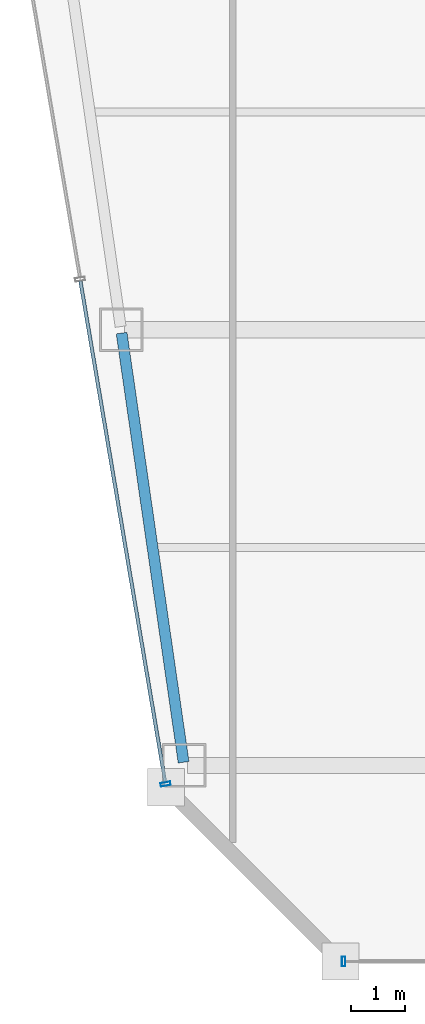
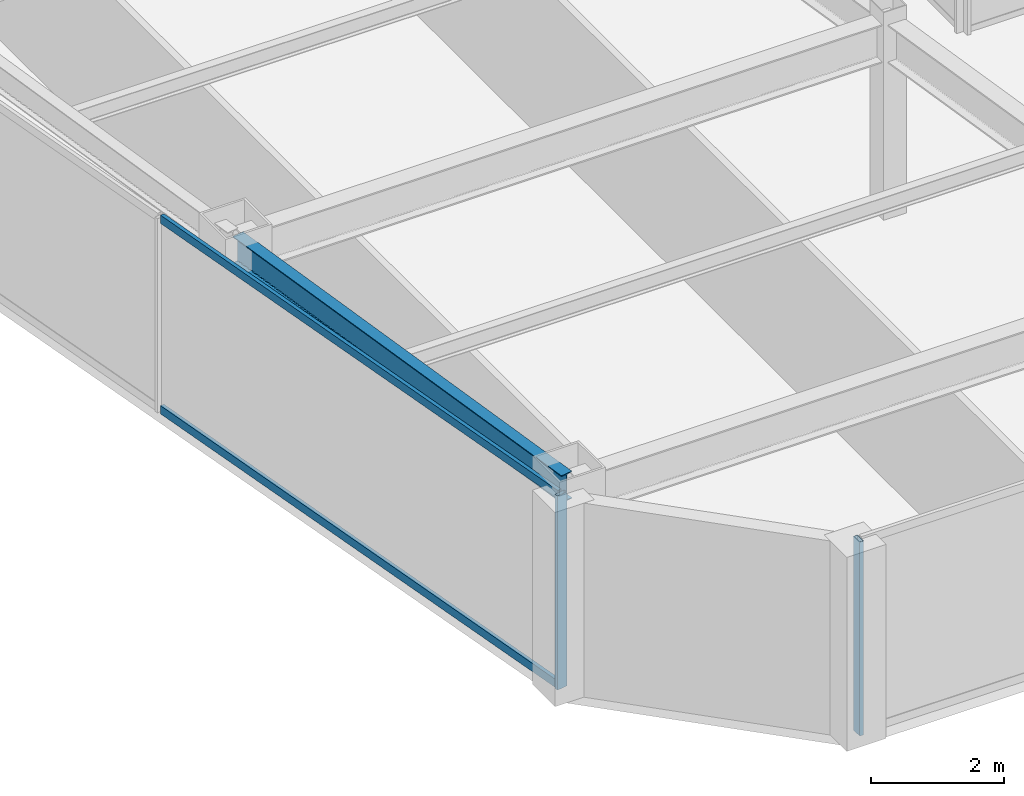
# One storey, part 3 of 36: 4 members, 1 beam, 2 elements without a shape of their own.
"""IFC4 building model written with IfcOpenShell, lengths in metres."""

import ifcopenshell
import ifcopenshell.guid

model = None  # the IFC model being written
_history = None  # IfcOwnerHistory: only IFC2X3 demands one
_inside = {}  # id of a spatial element -> (the spatial element, [elements in it])
_under = {}  # id of a project, library or spatial element -> (it, [spatial elements below it])
_declared = {}  # id of a project -> (the project, [libraries it declares])
_typed = {}  # id of a type object -> (the type object, [elements of that type])
_made_of = {}  # id of a material, layer set ... -> (it, [elements and type objects made of it])


def new_model(schema):
    """Start an empty IFC model of exactly this schema.

    Asked for "IFC4X3", IfcOpenShell would pick the latest addendum, in which some entities
    have other attributes; the version numbers below select the first issue.
    IFC2X3 requires an IfcOwnerHistory on every rooted entity: one is made here for all.
    """
    global model, _history
    if schema == "IFC4X3":
        model = ifcopenshell.file(schema_version=(4, 3, 0, 0))
    else:
        model = ifcopenshell.file(schema=schema)
    _inside.clear()
    _under.clear()
    _declared.clear()
    _typed.clear()
    _made_of.clear()
    _history = None
    if model.schema == "IFC2X3":
        org = make("IfcOrganization", Name="unknown")
        user = make(
            "IfcPersonAndOrganization",
            ThePerson=make("IfcPerson", FamilyName="unknown"),
            TheOrganization=org,
        )
        app = make(
            "IfcApplication",
            ApplicationDeveloper=org,
            Version="unknown",
            ApplicationFullName="unknown",
            ApplicationIdentifier="unknown",
        )
        _history = make(
            "IfcOwnerHistory",
            OwningUser=user,
            OwningApplication=app,
            ChangeAction="ADDED",
            CreationDate=0,
        )
    return model


def make(cls, **values):
    """One entity of the class cls with the attributes given. An attribute that is None is left unset."""
    return model.create_entity(
        cls, **{name: value for name, value in values.items() if value is not None}
    )


def rooted(cls, **values):
    """An entity with a GlobalId (a new one), such as an element, a storey or a relation."""
    return make(cls, GlobalId=ifcopenshell.guid.new(), OwnerHistory=_history, **values)


def si_unit(unit_type, name, prefix=None):
    """IfcSIUnit, for example si_unit("LENGTHUNIT", "METRE", prefix="MILLI")."""
    return make("IfcSIUnit", UnitType=unit_type, Prefix=prefix, Name=name)


def assignment(units):
    """IfcUnitAssignment: the units of a project."""
    return None if units is None else make("IfcUnitAssignment", Units=units)


def point(xyz):
    """IfcCartesianPoint."""
    return None if xyz is None else make("IfcCartesianPoint", Coordinates=xyz)


def direction(xyz):
    """IfcDirection."""
    return None if xyz is None else make("IfcDirection", DirectionRatios=xyz)


def frame(location, z_axis=None, x_axis=None):
    """IfcAxis2Placement3D, a coordinate frame: its origin and axes. An axis left out is left unset."""
    return make(
        "IfcAxis2Placement3D",
        Location=point(location),
        Axis=direction(z_axis),
        RefDirection=direction(x_axis),
    )


def frame_2d(location, x_axis=None):
    """IfcAxis2Placement2D, a coordinate frame in the plane: its origin and x axis."""
    return make(
        "IfcAxis2Placement2D", Location=point(location), RefDirection=direction(x_axis)
    )


def origin():
    """The frame at (0, 0, 0) with its axes left unset."""
    return frame((0.0, 0.0, 0.0))


def origin_2d():
    """The frame at (0, 0) in the plane with its x axis left unset."""
    return frame_2d((0.0, 0.0))


def place(relative_to, where):
    """IfcLocalPlacement: puts the frame where relative to a parent placement (None: the world)."""
    return make(
        "IfcLocalPlacement", PlacementRelTo=relative_to, RelativePlacement=where
    )


def context(
    kind, dimensions, precision=None, world=None, true_north=None, identifier=None
):
    """IfcGeometricRepresentationContext, for example the 3D "Model" context."""
    return make(
        "IfcGeometricRepresentationContext",
        ContextIdentifier=identifier,
        ContextType=kind,
        CoordinateSpaceDimension=dimensions,
        Precision=precision,
        WorldCoordinateSystem=world,
        TrueNorth=true_north,
    )


def subcontext(parent, identifier, kind, view, scale=None):
    """IfcGeometricRepresentationSubContext, for example "Body" below "Model"."""
    return make(
        "IfcGeometricRepresentationSubContext",
        ContextIdentifier=identifier,
        ContextType=kind,
        ParentContext=parent,
        TargetScale=scale,
        TargetView=view,
    )


def project(units=None, contexts=None):
    """IfcProject with its units and contexts."""
    return rooted(
        "IfcProject",
        Name="project",
        RepresentationContexts=contexts,
        UnitsInContext=assignment(units),
    )


def spatial(cls, under=None, at=None, **own):
    """A site, building, storey or space (cls), placed at a placement, below another one or the project."""
    s = rooted(cls, ObjectPlacement=at, **own)
    if under is not None:
        _under.setdefault(under.id(), (under, []))[1].append(s)
    return s


def profile(cls, at=None, kind="AREA", **sizes):
    """A parametric profile (cls). Its sizes go by their IFC names, for example OverallWidth=200.0."""
    return make(cls, ProfileType=kind, Position=at, **sizes)


def hollow_rectangle(**sizes):
    """IfcRectangleHollowProfileDef."""
    return profile("IfcRectangleHollowProfileDef", **sizes)


def i_section(**sizes):
    """IfcIShapeProfileDef."""
    return profile("IfcIShapeProfileDef", **sizes)


def extrude(swept, where, along, depth):
    """IfcExtrudedAreaSolid: the profile swept, set in the frame where, extruded along a direction by depth."""
    return make(
        "IfcExtrudedAreaSolid",
        SweptArea=swept,
        Position=where,
        ExtrudedDirection=direction(along),
        Depth=depth,
    )


def shape(context_of_items, identifier, shape_type, items):
    """IfcShapeRepresentation: the items that make up one representation, for example the "Body"."""
    return make(
        "IfcShapeRepresentation",
        ContextOfItems=context_of_items,
        RepresentationIdentifier=identifier,
        RepresentationType=shape_type,
        Items=items,
    )


def material(Name=None, Category=None):
    """IfcMaterial."""
    return make("IfcMaterial", Name=Name, Category=Category)


def material_profile(
    of_material, cross_section, Name=None, Category=None, Priority=None
):
    """IfcMaterialProfile: a cross section and its material."""
    return make(
        "IfcMaterialProfile",
        Name=Name,
        Material=of_material,
        Profile=cross_section,
        Priority=Priority,
        Category=Category,
    )


def profile_set(profiles, Name=None, composite=None):
    """IfcMaterialProfileSet."""
    return make(
        "IfcMaterialProfileSet",
        Name=Name,
        MaterialProfiles=profiles,
        CompositeProfile=composite,
    )


def made_of(thing, what):
    """Note that an element or type object is made of a material, layer set ...; save() writes the relation."""
    if what is not None:
        _made_of.setdefault(what.id(), (what, []))[1].append(thing)
    return thing


def type_object(cls, material=None, **own):
    """A type object (cls), such as IfcWallType, which elements share."""
    return made_of(rooted(cls, **own), material)


def element(
    cls,
    number,
    at=None,
    inside=None,
    cuts=None,
    type_object=None,
    material=None,
    context=None,
    identifier="Body",
    shape_type=None,
    held_by="IfcProductDefinitionShape",
    body=None,
    shapes=None,
    **own,
):
    """One element of the class cls, such as IfcWall. Its Tag is "e" and its number.

    at: its placement. inside: the storey or other place that contains it. cuts: it is an
    opening in that element (IfcRelVoidsElement). A single representation is given by context,
    identifier, shape_type and body (its items); several are given by shapes. held_by: the class
    of the entity that holds the representations. save() writes the other relations.
    """
    e = rooted(cls, Tag="e%d" % number, ObjectPlacement=at, **own)
    if body is not None:
        shapes = [shape(context, identifier, shape_type, body)]
    if shapes is not None:
        e.Representation = make(held_by, Representations=shapes)
    if inside is not None:
        _inside.setdefault(inside.id(), (inside, []))[1].append(e)
    if cuts is not None:
        rooted(
            "IfcRelVoidsElement", RelatingBuildingElement=cuts, RelatedOpeningElement=e
        )
    if type_object is not None:
        _typed.setdefault(type_object.id(), (type_object, []))[1].append(e)
    return made_of(e, material)


def aggregate(whole, parts):
    """IfcRelAggregates: a whole, such as a stair, and the parts it consists of."""
    return rooted("IfcRelAggregates", RelatingObject=whole, RelatedObjects=parts)


def save(model, path):
    """Write the relations noted so far, then the file.

    IfcRelAggregates (storeys below a building ...), IfcRelContainedInSpatialStructure (elements
    in a storey), IfcRelDefinesByType, IfcRelAssociatesMaterial and IfcRelDeclares: one each for
    every whole, place, type object, material and project.
    """
    for whole, parts in _under.values():
        aggregate(whole, parts)
    for where, things in _inside.values():
        rooted(
            "IfcRelContainedInSpatialStructure",
            RelatedElements=things,
            RelatingStructure=where,
        )
    for kind, things in _typed.values():
        rooted("IfcRelDefinesByType", RelatedObjects=things, RelatingType=kind)
    for what, things in _made_of.values():
        rooted("IfcRelAssociatesMaterial", RelatedObjects=things, RelatingMaterial=what)
    for by, libraries in _declared.values():
        rooted("IfcRelDeclares", RelatingContext=by, RelatedDefinitions=libraries)
    model.write(path)


model = new_model("IFC4")

# Units and contexts
model_context = context("Model", 3, precision=1e-05, world=origin(), true_north=direction((0.0, 1.0)))
body_context = subcontext(model_context, "Body", "Model", "MODEL_VIEW")
ifc_project = project(units=[si_unit("LENGTHUNIT", "METRE"), si_unit("AREAUNIT", "SQUARE_METRE"), si_unit("VOLUMEUNIT", "CUBIC_METRE"), si_unit("PLANEANGLEUNIT", "RADIAN"), si_unit("MASSUNIT", "GRAM", prefix="KILO")], contexts=[model_context])

# Site, building, storey
site_placement = place(None, origin())
site = spatial("IfcSite", under=ifc_project, at=site_placement, CompositionType="ELEMENT")
building_placement = place(site_placement, origin())
building = spatial("IfcBuilding", under=site, at=building_placement, Name="Saevonmaru Cultural Tower", CompositionType="ELEMENT")
storey_placement = place(building_placement, frame((0.0, 0.0, 201.800048828125)))
storey = spatial("IfcBuildingStorey", under=building, at=storey_placement, Name="L46", CompositionType="ELEMENT", Elevation=201.800048828125)

# Beam
ifc_material_1 = material(Name="Steel SM355", Category="steel")
ifc_material_profile_1 = material_profile(ifc_material_1, i_section(OverallWidth=0.199951171875, OverallDepth=0.5, WebThickness=0.010009765625, FlangeThickness=0.01611328125, FilletRadius=0.02001953125, at=origin_2d()), Name="H-500x200x10x16")
ifc_profile_set_1 = profile_set([ifc_material_profile_1], Name="Steel SM355")
beam_type = type_object("IfcBeamType", Name="BM-SP-H500", PredefinedType="SPANDREL", material=ifc_profile_set_1)
beam_placement = place(storey_placement, frame((10.619384765625, 16.059326171875, 3.300048828125), z_axis=(-0.142992129437, 0.989723825579, 0.0), x_axis=(-0.989723825579, -0.142992129437, 0.0)))
element("IfcBeam", 1, at=beam_placement, inside=storey, type_object=beam_type, Name="L46 West Splayed Spandrel 1", PredefinedType="SPANDREL", context=body_context, shape_type="SweptSolid", body=[
    extrude(i_section(OverallWidth=0.199951171875, OverallDepth=0.5, WebThickness=0.010009765625, FlangeThickness=0.01611328125, FilletRadius=0.02001953125, at=origin_2d()), origin(), (0.0, 0.0, 1.0), 7.963134765625),
])

# Curtain wall, member
ifc_material_2 = material(Name="Satin Bronze Anodised Aluminium", Category="aluminium")
curtain_wall_type = type_object("IfcCurtainWallType", Name="CW-TYP-B", PredefinedType="NOTDEFINED", material=ifc_material_2)
curtain_wall_1_placement = place(storey_placement, origin())
curtain_wall_1 = element("IfcCurtainWall", 2, at=curtain_wall_1_placement, inside=storey, type_object=curtain_wall_type, Name="L46 Unitised Curtain Wall E2", PredefinedType="NOTDEFINED")
ifc_material_profile_2 = material_profile(ifc_material_2, hollow_rectangle(XDim=0.06494140625, YDim=0.179931640625, WallThickness=0.00390625, at=origin_2d()), Name="ALU-MULL-180x65x4")
ifc_profile_set_2 = profile_set([ifc_material_profile_2], Name="Satin Bronze Anodised Aluminium")
member_type_1 = type_object("IfcMemberType", Name="ML-CW-180x65", PredefinedType="MULLION", material=ifc_profile_set_2)
member_1_placement = place(storey_placement, frame((13.557861328125, 12.39990234375, 0.0), z_axis=(0.0, 0.0, 1.0), x_axis=(1.0, 0.0, 0.0)))
member_1 = element("IfcMember", 3, at=member_1_placement, type_object=member_type_1, Name="CW-TW-L46-E2 mullion 1", PredefinedType="MULLION", context=body_context, shape_type="SweptSolid", body=[
    extrude(hollow_rectangle(XDim=0.06494140625, YDim=0.179931640625, WallThickness=0.00390625, at=origin_2d()), origin(), (0.0, 0.0, 1.0), 3.550048828125),
])
aggregate(curtain_wall_1, [member_1])

# Curtain wall, members
curtain_wall_2_placement = place(storey_placement, origin())
curtain_wall_2 = element("IfcCurtainWall", 4, at=curtain_wall_2_placement, inside=storey, type_object=curtain_wall_type, Name="L46 Unitised Curtain Wall E12", PredefinedType="NOTDEFINED")
member_2_placement = place(storey_placement, frame((10.287841796875, 15.6591796875, 0.0), z_axis=(0.0, 0.0, 1.0), x_axis=(0.16692169721, -0.985970155228, 0.0)))
member_2 = element("IfcMember", 5, at=member_2_placement, type_object=member_type_1, Name="CW-TW-L46-E12 mullion 5", PredefinedType="MULLION", context=body_context, shape_type="SweptSolid", body=[
    extrude(hollow_rectangle(XDim=0.06494140625, YDim=0.179931640625, WallThickness=0.00390625, at=origin_2d()), origin(), (0.0, 0.0, 1.0), 3.550048828125),
])
ifc_material_profile_3 = material_profile(ifc_material_2, hollow_rectangle(XDim=0.06494140625, YDim=0.14990234375, WallThickness=0.00390625, at=origin_2d()), Name="ALU-TRAN-150x65x4")
ifc_profile_set_3 = profile_set([ifc_material_profile_3], Name="Satin Bronze Anodised Aluminium")
member_type_2 = type_object("IfcMemberType", Name="TR-CW-150x65", PredefinedType="USERDEFINED", material=ifc_profile_set_3)
member_3_placement = place(storey_placement, frame((8.723876953125, 24.8974609375, 0.032470703125), z_axis=(0.166921263871, -0.985970228591, 0.0), x_axis=(0.985970228591, 0.166921263871, 0.0)))
member_3 = element("IfcMember", 6, at=member_3_placement, type_object=member_type_2, Name="CW-TW-L46-E12 transom 4.1", ObjectType="TRANSOM", PredefinedType="USERDEFINED", context=body_context, shape_type="SweptSolid", body=[
    extrude(hollow_rectangle(XDim=0.06494140625, YDim=0.14990234375, WallThickness=0.00390625, at=origin_2d()), origin(), (0.0, 0.0, 1.0), 9.33740234375),
])
member_4_placement = place(storey_placement, frame((8.723876953125, 24.8974609375, 3.517333984375), z_axis=(0.166921263871, -0.985970228591, 0.0), x_axis=(0.985970228591, 0.166921263871, 0.0)))
member_4 = element("IfcMember", 7, at=member_4_placement, type_object=member_type_2, Name="CW-TW-L46-E12 transom 4.2", ObjectType="TRANSOM", PredefinedType="USERDEFINED", context=body_context, shape_type="SweptSolid", body=[
    extrude(hollow_rectangle(XDim=0.06494140625, YDim=0.14990234375, WallThickness=0.00390625, at=origin_2d()), origin(), (0.0, 0.0, 1.0), 9.33740234375),
])
aggregate(curtain_wall_2, [member_2, member_3, member_4])

save(model, "model.ifc")
